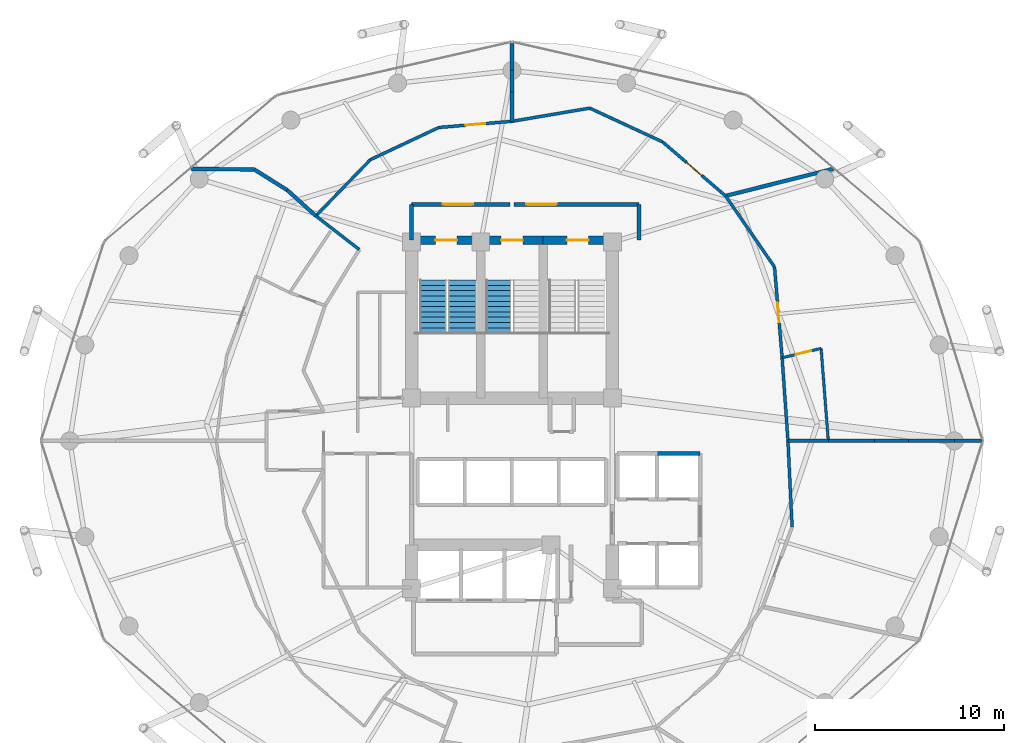
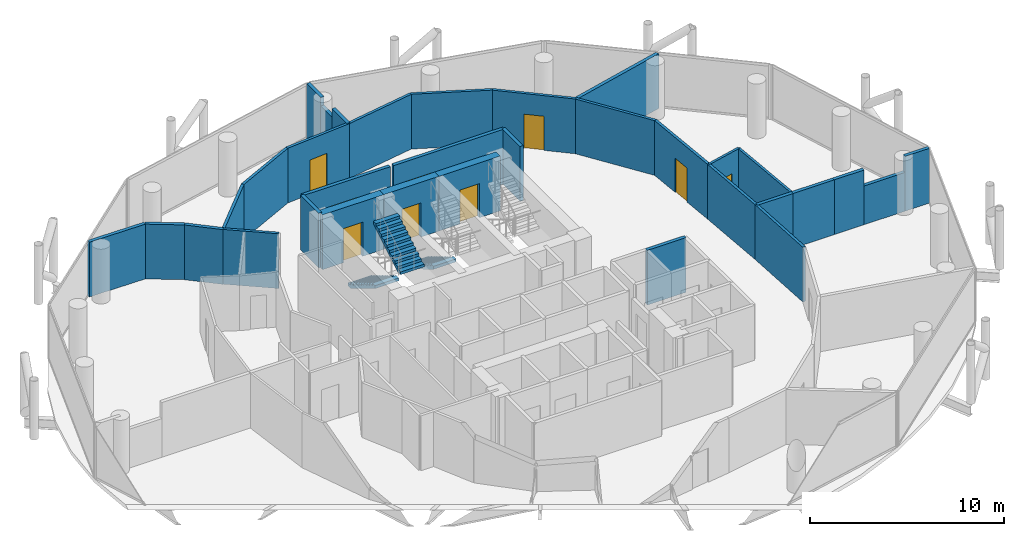
# One storey, part 24 of 26: 33 walls, 9 doors, 3 stair flights, 9 openings, 2 elements without a shape of their own.
"""IFC4 building model written with IfcOpenShell, lengths in metres."""

from ifc_helpers import new_model, si_unit, direction, frame, frame_2d, origin, place, context, subcontext, project, spatial, polyline, rectangle, outline, extrude, material, layer, layer_set, type_object, element, fill, aggregate, save


model = new_model("IFC4")

# Units and contexts
model_context = context("Model", 3, precision=1e-05, world=origin(), true_north=direction((0.0, 1.0)))
body_context = subcontext(model_context, "Body", "Model", "MODEL_VIEW")
ifc_project = project(units=[si_unit("LENGTHUNIT", "METRE"), si_unit("AREAUNIT", "SQUARE_METRE"), si_unit("VOLUMEUNIT", "CUBIC_METRE"), si_unit("PLANEANGLEUNIT", "RADIAN"), si_unit("MASSUNIT", "GRAM", prefix="KILO")], contexts=[model_context])

# Site, building, storey
site_placement = place(None, origin())
site = spatial("IfcSite", under=ifc_project, at=site_placement, CompositionType="ELEMENT")
building_placement = place(site_placement, origin())
building = spatial("IfcBuilding", under=site, at=building_placement, Name="Nuhasar Tower", CompositionType="ELEMENT")
storey_placement = place(building_placement, frame((0.0, 0.0, 181.14990234375)))
storey = spatial("IfcBuildingStorey", under=building, at=storey_placement, Name="L44", CompositionType="ELEMENT", Elevation=181.14990234375)

# Wall, opening, door
ifc_material_1 = material(Name="Concrete C50/60", Category="concrete")
ifc_layer_1 = layer(ifc_material_1, 0.449951171875)
ifc_layer_set_1 = layer_set([ifc_layer_1], Name="Concrete C50/60")
wall_type_1 = type_object("IfcWallType", Name="WL-CORE-450", PredefinedType="SHEAR", material=ifc_layer_set_1)
wall_1_placement = place(storey_placement, frame((37.35009765625, 37.39990234375, 0.0), z_axis=(0.0, 0.0, 1.0), x_axis=(-1.0, 0.0, 0.0)))
wall_1 = element("IfcWall", 1, at=wall_1_placement, inside=storey, type_object=wall_type_1, Name="L44 Stairwell Shear Wall ST01-N", PredefinedType="SHEAR", context=body_context, shape_type="SweptSolid", body=[
    extrude(rectangle(XDim=3.650146484375, YDim=0.449951171875, at=frame_2d((1.8251953125, 0.0))), origin(), (0.0, 0.0, 1.0), 3.4501953125),
])
opening_1_placement = place(wall_1_placement, frame((1.25, 0.0, 0.0)))
opening_1 = element("IfcOpeningElement", 2, at=opening_1_placement, cuts=wall_1, Name="Opening DS-01", PredefinedType="OPENING", context=body_context, shape_type="SweptSolid", body=[
    extrude(rectangle(XDim=1.14990234375, YDim=2.14990234375, at=frame_2d((0.574951171875, 1.074951171875))), frame((0.0, 0.23486328125, 0.0), z_axis=(0.0, -1.0, 0.0), x_axis=(1.0, 0.0, 0.0)), (0.0, 0.0, 1.0), 0.469970703125),
])
ifc_material_2 = material(Name="Steel S355", Category="steel")
door_type_1 = type_object("IfcDoorType", Name="DR-STAIR-FD120-1150", OperationType="NOTDEFINED", PredefinedType="DOOR", material=ifc_material_2)
door_1_placement = place(opening_1_placement, origin())
door_1 = element("IfcDoor", 3, at=door_1_placement, inside=storey, type_object=door_type_1, Name="L44 Exit Stair ST-01 Door", OperationType="SINGLE_SWING_RIGHT", OverallHeight=2.14990234375, OverallWidth=1.14990234375, PredefinedType="DOOR", context=body_context, shape_type="SweptSolid", body=[
    extrude(rectangle(XDim=1.14990234375, YDim=2.14990234375, at=frame_2d((0.574951171875, 1.074951171875))), frame((0.0, 0.02490234375, 0.0), z_axis=(0.0, -1.0, 0.0), x_axis=(1.0, 0.0, 0.0)), (0.0, 0.0, 1.0), 0.050048828125),
])
fill(opening_1, door_1)

wall_2_placement = place(storey_placement, frame((40.64990234375, 37.39990234375, 0.0), z_axis=(0.0, 0.0, 1.0), x_axis=(-1.0, 0.0, 0.0)))
wall_2 = element("IfcWall", 4, at=wall_2_placement, inside=storey, type_object=wall_type_1, Name="L44 Stairwell Shear Wall ST03-N", PredefinedType="SHEAR", context=body_context, shape_type="SweptSolid", body=[
    extrude(rectangle(XDim=3.2998046875, YDim=0.449951171875, at=frame_2d((1.64990234375, 0.0))), origin(), (0.0, 0.0, 1.0), 3.4501953125),
])
opening_2_placement = place(wall_2_placement, frame((1.074951171875, 0.0, 0.0)))
opening_2 = element("IfcOpeningElement", 5, at=opening_2_placement, cuts=wall_2, Name="Opening DS-01", PredefinedType="OPENING", context=body_context, shape_type="SweptSolid", body=[
    extrude(rectangle(XDim=1.14990234375, YDim=2.14990234375, at=frame_2d((0.574951171875, 1.074951171875))), frame((0.0, 0.23486328125, 0.0), z_axis=(0.0, -1.0, 0.0), x_axis=(1.0, 0.0, 0.0)), (0.0, 0.0, 1.0), 0.469970703125),
])
door_2_placement = place(opening_2_placement, origin())
door_2 = element("IfcDoor", 6, at=door_2_placement, inside=storey, type_object=door_type_1, Name="L44 Exit Stair ST-03 Door", OperationType="SINGLE_SWING_RIGHT", OverallHeight=2.14990234375, OverallWidth=1.14990234375, PredefinedType="DOOR", context=body_context, shape_type="SweptSolid", body=[
    extrude(rectangle(XDim=1.14990234375, YDim=2.14990234375, at=frame_2d((0.574951171875, 1.074951171875))), frame((0.0, 0.02490234375, 0.0), z_axis=(0.0, -1.0, 0.0), x_axis=(1.0, 0.0, 0.0)), (0.0, 0.0, 1.0), 0.050048828125),
])
fill(opening_2, door_2)

wall_3_placement = place(storey_placement, frame((44.300048828125, 37.39990234375, 0.0), z_axis=(0.0, 0.0, 1.0), x_axis=(-1.0, 0.0, 0.0)))
wall_3 = element("IfcWall", 7, at=wall_3_placement, inside=storey, type_object=wall_type_1, Name="L44 Stairwell Shear Wall ST02-N", PredefinedType="SHEAR", context=body_context, shape_type="SweptSolid", body=[
    extrude(rectangle(XDim=3.650146484375, YDim=0.449951171875, at=frame_2d((1.8251953125, 0.0))), origin(), (0.0, 0.0, 1.0), 3.4501953125),
])
opening_3_placement = place(wall_3_placement, frame((1.25, 0.0, 0.0)))
opening_3 = element("IfcOpeningElement", 8, at=opening_3_placement, cuts=wall_3, Name="Opening DS-01", PredefinedType="OPENING", context=body_context, shape_type="SweptSolid", body=[
    extrude(rectangle(XDim=1.14990234375, YDim=2.14990234375, at=frame_2d((0.574951171875, 1.074951171875))), frame((0.0, 0.23486328125, 0.0), z_axis=(0.0, -1.0, 0.0), x_axis=(1.0, 0.0, 0.0)), (0.0, 0.0, 1.0), 0.469970703125),
])
door_3_placement = place(opening_3_placement, origin())
door_3 = element("IfcDoor", 9, at=door_3_placement, inside=storey, type_object=door_type_1, Name="L44 Exit Stair ST-02 Door", OperationType="SINGLE_SWING_LEFT", OverallHeight=2.14990234375, OverallWidth=1.14990234375, PredefinedType="DOOR", context=body_context, shape_type="SweptSolid", body=[
    extrude(rectangle(XDim=1.14990234375, YDim=2.14990234375, at=frame_2d((0.574951171875, 1.074951171875))), frame((0.0, 0.02490234375, 0.0), z_axis=(0.0, -1.0, 0.0), x_axis=(1.0, 0.0, 0.0)), (0.0, 0.0, 1.0), 0.050048828125),
])
fill(opening_3, door_3)

# Walls
ifc_material_3 = material(Name="Gypsum Board", Category="gypsum")
ifc_layer_2 = layer(ifc_material_3, 0.159912109375)
ifc_layer_set_2 = layer_set([ifc_layer_2], Name="Gypsum Board")
wall_type_2 = type_object("IfcWallType", Name="WL-CORR-160", PredefinedType="PARTITIONING", material=ifc_layer_set_2)
wall_4_placement = place(storey_placement, frame((53.7880859375, 22.256103515625, 0.0), z_axis=(0.0, 0.0, 1.0), x_axis=(-0.047924666937, 0.998850952995, 0.0)))
element("IfcWall", 10, at=wall_4_placement, inside=storey, type_object=wall_type_2, Name="L44 Interior Partition CORR-46", PredefinedType="PARTITIONING", context=body_context, shape_type="SweptSolid", body=[
    extrude(rectangle(XDim=4.549072265625, YDim=0.159912109375, at=frame_2d((2.2744140625, 0.0))), origin(), (0.0, 0.0, 1.0), 3.4501953125),
])
wall_5_placement = place(storey_placement, frame((53.570068359375, 26.800048828125, 0.0), z_axis=(0.0, 0.0, 1.0), x_axis=(-0.070141062977, 0.997537082661, 0.0)))
element("IfcWall", 11, at=wall_5_placement, inside=storey, type_object=wall_type_2, Name="L44 Interior Partition CORR-00", PredefinedType="PARTITIONING", context=body_context, shape_type="SweptSolid", body=[
    extrude(rectangle(XDim=4.392578125, YDim=0.159912109375, at=frame_2d((2.1962890625, 0.0))), origin(), (0.0, 0.0, 1.0), 3.4501953125),
])

# Wall, opening, door
wall_6_placement = place(storey_placement, frame((52.860107421875, 35.97607421875, 0.0), z_axis=(0.0, 0.0, 1.0), x_axis=(0.083528435033, -0.996505394135, 0.0)))
wall_6 = element("IfcWall", 12, at=wall_6_placement, inside=storey, type_object=wall_type_2, Name="L44 Interior Partition CORR-02", PredefinedType="PARTITIONING", context=body_context, shape_type="SweptSolid", body=[
    extrude(rectangle(XDim=4.81103515625, YDim=0.159912109375, at=frame_2d((2.405517578125, 0.0))), origin(), (0.0, 0.0, 1.0), 3.4501953125),
])
opening_4_placement = place(wall_6_placement, frame((1.8798828125, 0.0, 0.0)))
opening_4 = element("IfcOpeningElement", 13, at=opening_4_placement, cuts=wall_6, Name="Opening DU-01", PredefinedType="OPENING", context=body_context, shape_type="SweptSolid", body=[
    extrude(rectangle(XDim=1.050048828125, YDim=2.14990234375, at=frame_2d((0.52490234375, 1.074951171875))), frame((0.0, 0.08984375, 0.0), z_axis=(0.0, -1.0, 0.0), x_axis=(1.0, 0.0, 0.0)), (0.0, 0.0, 1.0), 0.179931640625),
])
ifc_material_4 = material(Name="Timber Oak", Category="wood")
door_type_2 = type_object("IfcDoorType", Name="DR-SUITE-FD60-1050", OperationType="NOTDEFINED", PredefinedType="DOOR", material=ifc_material_4)
door_4_placement = place(opening_4_placement, origin())
door_4 = element("IfcDoor", 14, at=door_4_placement, inside=storey, type_object=door_type_2, Name="L44 Family Suite 02 Entrance Door", OperationType="SINGLE_SWING_LEFT", OverallHeight=2.14990234375, OverallWidth=1.050048828125, PredefinedType="DOOR", context=body_context, shape_type="SweptSolid", body=[
    extrude(rectangle(XDim=1.050048828125, YDim=2.14990234375, at=frame_2d((0.52490234375, 1.074951171875))), frame((0.0, 0.02490234375, 0.0), z_axis=(0.0, -1.0, 0.0), x_axis=(1.0, 0.0, 0.0)), (0.0, 0.0, 1.0), 0.050048828125),
])
fill(opening_4, door_4)

# Wall
wall_7_placement = place(storey_placement, frame((52.860107421875, 35.97607421875, 0.0), z_axis=(0.0, 0.0, 1.0), x_axis=(-0.567037984517, 0.82369164383, 0.0)))
element("IfcWall", 15, at=wall_7_placement, inside=storey, type_object=wall_type_2, Name="L44 Interior Partition CORR-04", PredefinedType="PARTITIONING", context=body_context, shape_type="SweptSolid", body=[
    extrude(rectangle(XDim=4.557373046875, YDim=0.159912109375, at=frame_2d((2.27880859375, 0.0))), origin(), (0.0, 0.0, 1.0), 3.4501953125),
])

# Wall, opening, door
wall_8_placement = place(storey_placement, frame((46.947021484375, 42.5830078125, 0.0), z_axis=(0.0, 0.0, 1.0), x_axis=(0.759288048082, -0.650754684993, 0.0)))
wall_8 = element("IfcWall", 16, at=wall_8_placement, inside=storey, type_object=wall_type_2, Name="L44 Interior Partition CORR-06", PredefinedType="PARTITIONING", context=body_context, shape_type="SweptSolid", body=[
    extrude(rectangle(XDim=4.38427734375, YDim=0.159912109375, at=frame_2d((2.192138671875, 0.0))), origin(), (0.0, 0.0, 1.0), 3.4501953125),
])
opening_5_placement = place(wall_8_placement, frame((1.6669921875, 0.0, 0.0)))
opening_5 = element("IfcOpeningElement", 17, at=opening_5_placement, cuts=wall_8, Name="Opening DU-01", PredefinedType="OPENING", context=body_context, shape_type="SweptSolid", body=[
    extrude(rectangle(XDim=1.050048828125, YDim=2.14990234375, at=frame_2d((0.52490234375, 1.074951171875))), frame((0.0, 0.08984375, 0.0), z_axis=(0.0, -1.0, 0.0), x_axis=(1.0, 0.0, 0.0)), (0.0, 0.0, 1.0), 0.179931640625),
])
door_5_placement = place(opening_5_placement, origin())
door_5 = element("IfcDoor", 18, at=door_5_placement, inside=storey, type_object=door_type_2, Name="L44 Young Explorers Play Club Entrance Door", OperationType="SINGLE_SWING_LEFT", OverallHeight=2.14990234375, OverallWidth=1.050048828125, PredefinedType="DOOR", context=body_context, shape_type="SweptSolid", body=[
    extrude(rectangle(XDim=1.050048828125, YDim=2.14990234375, at=frame_2d((0.52490234375, 1.074951171875))), frame((0.0, 0.02490234375, 0.0), z_axis=(0.0, -1.0, 0.0), x_axis=(1.0, 0.0, 0.0)), (0.0, 0.0, 1.0), 0.050048828125),
])
fill(opening_5, door_5)

# Walls
wall_9_placement = place(storey_placement, frame((46.947021484375, 42.5830078125, 0.0), z_axis=(0.0, 0.0, 1.0), x_axis=(-0.907214055844, 0.420669296335, 0.0)))
element("IfcWall", 19, at=wall_9_placement, inside=storey, type_object=wall_type_2, Name="L44 Interior Partition CORR-08", PredefinedType="PARTITIONING", context=body_context, shape_type="SweptSolid", body=[
    extrude(rectangle(XDim=4.236083984375, YDim=0.159912109375, at=frame_2d((2.1181640625, 0.0))), origin(), (0.0, 0.0, 1.0), 3.4501953125),
])
wall_10_placement = place(storey_placement, frame((43.10400390625, 44.364990234375, 0.0), z_axis=(0.0, 0.0, 1.0), x_axis=(-0.985959351307, -0.166985501081, 0.0)))
element("IfcWall", 20, at=wall_10_placement, inside=storey, type_object=wall_type_2, Name="L44 Interior Partition CORR-10", PredefinedType="PARTITIONING", context=body_context, shape_type="SweptSolid", body=[
    extrude(rectangle(XDim=4.162353515625, YDim=0.159912109375, at=frame_2d((2.0810546875, 0.0))), origin(), (0.0, 0.0, 1.0), 3.4501953125),
])

# Wall, opening, door
wall_11_placement = place(storey_placement, frame((35.135009765625, 43.343017578125, 0.0), z_axis=(0.0, 0.0, 1.0), x_axis=(0.996442115189, 0.084279956556, 0.0)))
wall_11 = element("IfcWall", 21, at=wall_11_placement, inside=storey, type_object=wall_type_2, Name="L44 Interior Partition CORR-12", PredefinedType="PARTITIONING", context=body_context, shape_type="SweptSolid", body=[
    extrude(rectangle(XDim=3.87890625, YDim=0.159912109375, at=frame_2d((1.939453125, 0.0))), origin(), (0.0, 0.0, 1.0), 3.4501953125),
])
opening_6_placement = place(wall_11_placement, frame((1.4140625, 0.0, 0.0)))
opening_6 = element("IfcOpeningElement", 22, at=opening_6_placement, cuts=wall_11, Name="Opening DU-01", PredefinedType="OPENING", context=body_context, shape_type="SweptSolid", body=[
    extrude(rectangle(XDim=1.050048828125, YDim=2.14990234375, at=frame_2d((0.52490234375, 1.074951171875))), frame((0.0, 0.08984375, 0.0), z_axis=(0.0, -1.0, 0.0), x_axis=(1.0, 0.0, 0.0)), (0.0, 0.0, 1.0), 0.179931640625),
])
door_6_placement = place(opening_6_placement, origin())
door_6 = element("IfcDoor", 23, at=door_6_placement, inside=storey, type_object=door_type_2, Name="L44 Family Gelato Kitchen Entrance Door", OperationType="SINGLE_SWING_RIGHT", OverallHeight=2.14990234375, OverallWidth=1.050048828125, PredefinedType="DOOR", context=body_context, shape_type="SweptSolid", body=[
    extrude(rectangle(XDim=1.050048828125, YDim=2.14990234375, at=frame_2d((0.52490234375, 1.074951171875))), frame((0.0, 0.02490234375, 0.0), z_axis=(0.0, -1.0, 0.0), x_axis=(1.0, 0.0, 0.0)), (0.0, 0.0, 1.0), 0.050048828125),
])
fill(opening_6, door_6)

# Walls
wall_12_placement = place(storey_placement, frame((35.135009765625, 43.343017578125, 0.0), z_axis=(0.0, 0.0, 1.0), x_axis=(-0.904903283727, -0.425617254232, 0.0)))
element("IfcWall", 24, at=wall_12_placement, inside=storey, type_object=wall_type_2, Name="L44 Interior Partition CORR-14", PredefinedType="PARTITIONING", context=body_context, shape_type="SweptSolid", body=[
    extrude(rectangle(XDim=3.989501953125, YDim=0.159912109375, at=frame_2d((1.99462890625, 0.0))), origin(), (0.0, 0.0, 1.0), 3.4501953125),
])
wall_13_placement = place(storey_placement, frame((31.52490234375, 41.64501953125, 0.0), z_axis=(0.0, 0.0, 1.0), x_axis=(-0.69625640942, -0.717793154287, 0.0)))
element("IfcWall", 25, at=wall_13_placement, inside=storey, type_object=wall_type_2, Name="L44 Interior Partition CORR-16", PredefinedType="PARTITIONING", context=body_context, shape_type="SweptSolid", body=[
    extrude(rectangle(XDim=4.1376953125, YDim=0.159912109375, at=frame_2d((2.06884765625, 0.0))), origin(), (0.0, 0.0, 1.0), 3.4501953125),
])
wall_14_placement = place(storey_placement, frame((30.93896484375, 36.89697265625, 0.0), z_axis=(0.0, 0.0, 1.0), x_axis=(-0.79049648077, 0.612466581856, 0.0)))
element("IfcWall", 26, at=wall_14_placement, inside=storey, type_object=wall_type_2, Name="L44 Interior Partition HRAD-18-IN", PredefinedType="PARTITIONING", context=body_context, shape_type="SweptSolid", body=[
    extrude(rectangle(XDim=2.903076171875, YDim=0.159912109375, at=frame_2d((1.45166015625, 0.0))), origin(), (0.0, 0.0, 1.0), 3.4501953125),
])
ifc_material_5 = material(Name="Concrete C45/55", Category="concrete")
ifc_layer_3 = layer(ifc_material_5, 0.199951171875)
ifc_layer_set_3 = layer_set([ifc_layer_3], Name="Concrete C45/55")
wall_type_3 = type_object("IfcWallType", Name="WL-LOBBY-200", PredefinedType="SOLIDWALL", material=ifc_layer_set_3)
for number, where, z_axis, x_axis, name in (
    (27, (33.699951171875, 37.39990234375, 0.0), (0.0, 0.0, 1.0), (0.0, 1.0, 0.0), "L44 Interior Partition NSL-W"),
    (28, (45.699951171875, 37.39990234375, 0.0), (0.0, 0.0, 1.0), (0.0, 1.0, 0.0), "L44 Interior Partition NSL-E"),
):
    element("IfcWall", number, at=place(storey_placement, frame(where, z_axis=z_axis, x_axis=x_axis)), inside=storey, type_object=wall_type_3, Name=name, PredefinedType="SOLIDWALL", context=body_context, shape_type="SweptSolid", body=[
        extrude(rectangle(XDim=1.880126953125, YDim=0.199951171875, at=frame_2d((0.93994140625, 0.0))), origin(), (0.0, 0.0, 1.0), 3.4501953125),
    ])

# Wall, opening, door
wall_15_placement = place(storey_placement, frame((38.89990234375, 39.280029296875, 0.0), z_axis=(0.0, 0.0, 1.0), x_axis=(-1.0, 0.0, 0.0)))
wall_15 = element("IfcWall", 29, at=wall_15_placement, inside=storey, type_object=wall_type_3, Name="L44 Interior Partition NSL-N1", PredefinedType="SOLIDWALL", context=body_context, shape_type="SweptSolid", body=[
    extrude(rectangle(XDim=5.199951171875, YDim=0.199951171875, at=frame_2d((2.60009765625, 0.0))), origin(), (0.0, 0.0, 1.0), 3.4501953125),
])
opening_7_placement = place(wall_15_placement, frame((1.949951171875, 0.0, 0.0)))
opening_7 = element("IfcOpeningElement", 30, at=opening_7_placement, cuts=wall_15, Name="Opening DC-01", PredefinedType="OPENING", context=body_context, shape_type="SweptSolid", body=[
    extrude(rectangle(XDim=1.60009765625, YDim=2.199951171875, at=frame_2d((0.800048828125, 1.10009765625))), frame((0.0, 0.10986328125, 0.0), z_axis=(0.0, -1.0, 0.0), x_axis=(1.0, 0.0, 0.0)), (0.0, 0.0, 1.0), 0.219970703125),
])
door_type_3 = type_object("IfcDoorType", Name="DR-CORR-FD60-1600", OperationType="DOUBLE_DOOR_SINGLE_SWING", PredefinedType="DOOR", material=ifc_material_2)
door_7_placement = place(opening_7_placement, origin())
door_7 = element("IfcDoor", 31, at=door_7_placement, inside=storey, type_object=door_type_3, Name="L44 North Stair Lobby West Door", OperationType="DOUBLE_DOOR_SINGLE_SWING", OverallHeight=2.199951171875, OverallWidth=1.60009765625, PredefinedType="DOOR", context=body_context, shape_type="SweptSolid", body=[
    extrude(rectangle(XDim=1.60009765625, YDim=2.199951171875, at=frame_2d((0.800048828125, 1.10009765625))), frame((0.0, 0.02490234375, 0.0), z_axis=(0.0, -1.0, 0.0), x_axis=(1.0, 0.0, 0.0)), (0.0, 0.0, 1.0), 0.050048828125),
])
fill(opening_7, door_7)

wall_16_placement = place(storey_placement, frame((45.699951171875, 39.280029296875, 0.0), z_axis=(0.0, 0.0, 1.0), x_axis=(-1.0, 0.0, 0.0)))
wall_16 = element("IfcWall", 32, at=wall_16_placement, inside=storey, type_object=wall_type_3, Name="L44 Interior Partition NSL-N2", PredefinedType="SOLIDWALL", context=body_context, shape_type="SweptSolid", body=[
    extrude(rectangle(XDim=6.599853515625, YDim=0.199951171875, at=frame_2d((3.2998046875, 0.0))), origin(), (0.0, 0.0, 1.0), 3.4501953125),
])
opening_8_placement = place(wall_16_placement, frame((4.35009765625, 0.0, 0.0)))
opening_8 = element("IfcOpeningElement", 33, at=opening_8_placement, cuts=wall_16, Name="Opening DC-01", PredefinedType="OPENING", context=body_context, shape_type="SweptSolid", body=[
    extrude(rectangle(XDim=1.60009765625, YDim=2.199951171875, at=frame_2d((0.800048828125, 1.10009765625))), frame((0.0, 0.10986328125, 0.0), z_axis=(0.0, -1.0, 0.0), x_axis=(1.0, 0.0, 0.0)), (0.0, 0.0, 1.0), 0.219970703125),
])
door_8_placement = place(opening_8_placement, origin())
door_8 = element("IfcDoor", 34, at=door_8_placement, inside=storey, type_object=door_type_3, Name="L44 North Stair Lobby East Door", OperationType="DOUBLE_DOOR_SINGLE_SWING", OverallHeight=2.199951171875, OverallWidth=1.60009765625, PredefinedType="DOOR", context=body_context, shape_type="SweptSolid", body=[
    extrude(rectangle(XDim=1.60009765625, YDim=2.199951171875, at=frame_2d((0.800048828125, 1.10009765625))), frame((0.0, 0.02490234375, 0.0), z_axis=(0.0, -1.0, 0.0), x_axis=(1.0, 0.0, 0.0)), (0.0, 0.0, 1.0), 0.050048828125),
])
fill(opening_8, door_8)

# Walls
ifc_layer_4 = layer(ifc_material_5, 0.199951171875)
ifc_layer_set_4 = layer_set([ifc_layer_4], Name="Concrete C45/55")
wall_type_4 = type_object("IfcWallType", Name="WL-SHAFT-200", PredefinedType="SOLIDWALL", material=ifc_layer_set_4)
wall_17_placement = place(storey_placement, frame((46.6201171875, 26.1298828125, 0.0), z_axis=(0.0, 0.0, 1.0), x_axis=(1.0, 0.0, 0.0)))
element("IfcWall", 35, at=wall_17_placement, inside=storey, type_object=wall_type_4, Name="L44 Interior Partition SHF-PL-M02-N", PredefinedType="SOLIDWALL", context=body_context, shape_type="SweptSolid", body=[
    extrude(rectangle(XDim=2.309814453125, YDim=0.199951171875, at=frame_2d((1.15478515625, 0.0))), origin(), (0.0, 0.0, 1.0), 3.4501953125),
])
ifc_material_6 = material(Name="Concrete C40/50 precast", Category="concrete")
ifc_layer_5 = layer(ifc_material_6, 0.199951171875)
ifc_layer_set_5 = layer_set([ifc_layer_5], Name="Concrete C40/50 precast")
wall_type_5 = type_object("IfcWallType", Name="WL-UNIT-200", PredefinedType="PARTITIONING", material=ifc_layer_set_5)
wall_18_placement = place(storey_placement, frame((28.64404296875, 38.675048828125, 0.0), z_axis=(0.0, 0.0, 1.0), x_axis=(-0.742846076273, 0.669462252085, 0.0)))
element("IfcWall", 36, at=wall_18_placement, inside=storey, type_object=wall_type_5, Name="L44 Interior Partition HRAD-18-OUT-S1", PredefinedType="PARTITIONING", context=body_context, shape_type="SweptSolid", body=[
    extrude(rectangle(XDim=2.03271484375, YDim=0.199951171875, at=frame_2d((1.016357421875, 0.0))), origin(), (0.0, 0.0, 1.0), 3.4501953125),
])
wall_19_placement = place(storey_placement, frame((27.134033203125, 40.035888671875, 0.0), z_axis=(0.0, 0.0, 1.0), x_axis=(-0.847509984022, 0.530779452299, 0.0)))
element("IfcWall", 37, at=wall_19_placement, inside=storey, type_object=wall_type_5, Name="L44 Interior Partition HRAD-18-OUT-S2", PredefinedType="PARTITIONING", context=body_context, shape_type="SweptSolid", body=[
    extrude(rectangle(XDim=2.052001953125, YDim=0.199951171875, at=frame_2d((1.02587890625, 0.0))), origin(), (0.0, 0.0, 1.0), 3.4501953125),
])
wall_20_placement = place(storey_placement, frame((25.39501953125, 41.125, 0.0), z_axis=(0.0, 0.0, 1.0), x_axis=(-0.999945735134, 0.010417619126, 0.0)))
element("IfcWall", 38, at=wall_20_placement, inside=storey, type_object=wall_type_5, Name="L44 Interior Partition HRAD-18-OUT-S3", PredefinedType="PARTITIONING", context=body_context, shape_type="SweptSolid", body=[
    extrude(rectangle(XDim=3.351318359375, YDim=0.199951171875, at=frame_2d((1.67578125, 0.0))), origin(), (0.0, 0.0, 1.0), 3.4501953125),
])
wall_21_placement = place(storey_placement, frame((53.570068359375, 26.800048828125, 0.0), z_axis=(0.0, 0.0, 1.0), x_axis=(1.0, 0.0, 0.0)))
element("IfcWall", 39, at=wall_21_placement, inside=storey, type_object=wall_type_5, Name="L44 Interior Partition HRAD-00-S1", PredefinedType="PARTITIONING", context=body_context, shape_type="SweptSolid", body=[
    extrude(rectangle(XDim=2.1298828125, YDim=0.199951171875, at=frame_2d((1.06494140625, 0.0))), origin(), (0.0, 0.0, 1.0), 3.4501953125),
])
wall_22_placement = place(storey_placement, frame((55.699951171875, 26.800048828125, 0.0), z_axis=(0.0, 0.0, 1.0), x_axis=(1.0, 0.0, 0.0)))
element("IfcWall", 40, at=wall_22_placement, inside=storey, type_object=wall_type_5, Name="L44 Interior Partition HRAD-00-S2", PredefinedType="PARTITIONING", context=body_context, shape_type="SweptSolid", body=[
    extrude(rectangle(XDim=2.449951171875, YDim=0.199951171875, at=frame_2d((1.22509765625, 0.0))), origin(), (0.0, 0.0, 1.0), 3.4501953125),
])
wall_23_placement = place(storey_placement, frame((58.14990234375, 26.800048828125, 0.0), z_axis=(0.0, 0.0, 1.0), x_axis=(1.0, 0.0, 0.0)))
element("IfcWall", 41, at=wall_23_placement, inside=storey, type_object=wall_type_5, Name="L44 Interior Partition HRAD-00-S3", PredefinedType="PARTITIONING", context=body_context, shape_type="SweptSolid", body=[
    extrude(rectangle(XDim=1.777099609375, YDim=0.199951171875, at=frame_2d((0.888671875, 0.0))), origin(), (0.0, 0.0, 1.0), 3.4501953125),
])
wall_24_placement = place(storey_placement, frame((59.927001953125, 26.800048828125, 0.0), z_axis=(0.0, 0.0, 1.0), x_axis=(1.0, 0.0, 0.0)))
element("IfcWall", 42, at=wall_24_placement, inside=storey, type_object=wall_type_5, Name="L44 Interior Partition HRAD-00-S3", PredefinedType="PARTITIONING", context=body_context, shape_type="SweptSolid", body=[
    extrude(rectangle(XDim=2.43505859375, YDim=0.199951171875, at=frame_2d((1.217529296875, 0.0))), origin(), (0.0, 0.0, 1.0), 2.440185546875),
])
wall_25_placement = place(storey_placement, frame((62.362060546875, 26.800048828125, 0.0), z_axis=(0.0, 0.0, 1.0), x_axis=(1.0, 0.0, 0.0)))
element("IfcWall", 43, at=wall_25_placement, inside=storey, type_object=wall_type_5, Name="L44 Interior Partition HRAD-00-S3", PredefinedType="PARTITIONING", context=body_context, shape_type="SweptSolid", body=[
    extrude(rectangle(XDim=1.462890625, YDim=0.199951171875, at=frame_2d((0.7314453125, 0.0))), origin(), (0.0, 0.0, 1.0), 3.4501953125),
])
wall_26_placement = place(storey_placement, frame((50.27587890625, 39.72998046875, 0.0), z_axis=(0.0, 0.0, 1.0), x_axis=(0.969744006307, 0.244124071389, 0.0)))
element("IfcWall", 44, at=wall_26_placement, inside=storey, type_object=wall_type_5, Name="L44 Interior Partition HRAD-06", PredefinedType="PARTITIONING", context=body_context, shape_type="SweptSolid", body=[
    extrude(rectangle(XDim=5.857421875, YDim=0.199951171875, at=frame_2d((2.9287109375, 0.0))), origin(), (0.0, 0.0, 1.0), 3.4501953125),
])
wall_27_placement = place(storey_placement, frame((39.0, 43.669921875, 0.0), z_axis=(0.0, 0.0, 1.0), x_axis=(0.0, 1.0, 0.0)))
element("IfcWall", 45, at=wall_27_placement, inside=storey, type_object=wall_type_5, Name="L44 Interior Partition HRAD-12", PredefinedType="PARTITIONING", context=body_context, shape_type="SweptSolid", body=[
    extrude(rectangle(XDim=1.549072265625, YDim=0.199951171875, at=frame_2d((0.7744140625, 0.0))), origin(), (0.0, 0.0, 1.0), 3.4501953125),
])
wall_28_placement = place(storey_placement, frame((39.0, 45.218994140625, 0.0), z_axis=(0.0, 0.0, 1.0), x_axis=(0.0, 1.0, 0.0)))
element("IfcWall", 46, at=wall_28_placement, inside=storey, type_object=wall_type_5, Name="L44 Interior Partition HRAD-12", PredefinedType="PARTITIONING", context=body_context, shape_type="SweptSolid", body=[
    extrude(rectangle(XDim=1.14892578125, YDim=0.199951171875, at=frame_2d((0.574462890625, 0.0))), origin(), (0.0, 0.0, 1.0), 2.9150390625),
])
wall_29_placement = place(storey_placement, frame((39.0, 46.367919921875, 0.0), z_axis=(0.0, 0.0, 1.0), x_axis=(0.0, 1.0, 0.0)))
element("IfcWall", 47, at=wall_29_placement, inside=storey, type_object=wall_type_5, Name="L44 Interior Partition HRAD-12", PredefinedType="PARTITIONING", context=body_context, shape_type="SweptSolid", body=[
    extrude(rectangle(XDim=1.45703125, YDim=0.199951171875, at=frame_2d((0.728515625, 0.0))), origin(), (0.0, 0.0, 1.0), 3.4501953125),
])

# Wall, opening, door
ifc_layer_6 = layer(ifc_material_6, 0.139892578125)
ifc_layer_set_6 = layer_set([ifc_layer_6], Name="Concrete C40/50 precast")
wall_type_6 = type_object("IfcWallType", Name="WL-WET-140", PredefinedType="PARTITIONING", material=ifc_layer_set_6)
wall_30_placement = place(storey_placement, frame((53.261962890625, 31.181884765625, 0.0), z_axis=(0.0, 0.0, 1.0), x_axis=(0.972156535344, 0.23433239381, 0.0)))
wall_30 = element("IfcWall", 48, at=wall_30_placement, inside=storey, type_object=wall_type_6, Name="L44 Interior Partition HBW-04", PredefinedType="PARTITIONING", context=body_context, shape_type="SweptSolid", body=[
    extrude(rectangle(XDim=2.116943359375, YDim=0.139892578125, at=frame_2d((1.05859375, 0.0))), origin(), (0.0, 0.0, 1.0), 3.4501953125),
])
opening_9_placement = place(wall_30_placement, frame((0.739013671875, 0.0, 0.0)))
opening_9 = element("IfcOpeningElement", 49, at=opening_9_placement, cuts=wall_30, Name="Opening DB-01", PredefinedType="OPENING", context=body_context, shape_type="SweptSolid", body=[
    extrude(rectangle(XDim=0.85009765625, YDim=2.10009765625, at=frame_2d((0.425048828125, 1.050048828125))), frame((0.0, 0.080078125, 0.0), z_axis=(0.0, -1.0, 0.0), x_axis=(1.0, 0.0, 0.0)), (0.0, 0.0, 1.0), 0.159912109375),
])
door_type_4 = type_object("IfcDoorType", Name="DR-BATH-850", OperationType="NOTDEFINED", PredefinedType="DOOR", material=ifc_material_4)
door_9_placement = place(opening_9_placement, origin())
door_9 = element("IfcDoor", 50, at=door_9_placement, inside=storey, type_object=door_type_4, Name="L44 Family Suite 02 En-Suite Door", OperationType="SINGLE_SWING_RIGHT", OverallHeight=2.10009765625, OverallWidth=0.85009765625, PredefinedType="DOOR", context=body_context, shape_type="SweptSolid", body=[
    extrude(rectangle(XDim=0.85009765625, YDim=2.10009765625, at=frame_2d((0.425048828125, 1.050048828125))), frame((0.0, 0.02490234375, 0.0), z_axis=(0.0, -1.0, 0.0), x_axis=(1.0, 0.0, 0.0)), (0.0, 0.0, 1.0), 0.050048828125),
])
fill(opening_9, door_9)

# Wall
wall_31_placement = place(storey_placement, frame((55.699951171875, 26.800048828125, 0.0), z_axis=(0.0, 0.0, 1.0), x_axis=(-0.077642783461, 0.99698124264, 0.0)))
element("IfcWall", 51, at=wall_31_placement, inside=storey, type_object=wall_type_6, Name="L44 Interior Partition HBF-04-00", PredefinedType="PARTITIONING", context=body_context, shape_type="SweptSolid", body=[
    extrude(rectangle(XDim=4.892578125, YDim=0.139892578125, at=frame_2d((2.4462890625, 0.0))), origin(), (0.0, 0.0, 1.0), 3.4501953125),
])

# Stair, stair flights
stair_type_1 = type_object("IfcStairType", Name="STR-ST-01-2F-22R-1682", PredefinedType="HALF_TURN_STAIR", material=ifc_material_5)
stair_1_placement = place(storey_placement, origin())
stair_1 = element("IfcStair", 52, at=stair_1_placement, inside=storey, type_object=stair_type_1, Name="L44 Exit Stair ST-01", PredefinedType="HALF_TURN_STAIR")
stair_flight_type_1 = type_object("IfcStairFlightType", Name="SFL-ST-01-11R-1682", PredefinedType="STRAIGHT", material=ifc_material_5)
stair_flight_1_placement = place(storey_placement, frame((34.830078125, 35.284912109375, 0.0), z_axis=(0.0, 0.0, 1.0), x_axis=(0.0, -1.0, 0.0)))
stair_flight_1 = element("IfcStairFlight", 53, at=stair_flight_1_placement, type_object=stair_flight_type_1, Name="ST-01 flight 1", NumberOfRisers=11, NumberOfTreads=10, PredefinedType="STRAIGHT", RiserHeight=0.168182, TreadLength=0.28, context=body_context, shape_type="SweptSolid", body=[
    extrude(outline(polyline([(0.0, 0.0), (0.0, 0.168212890625), (0.280029296875, 0.168212890625), (0.280029296875, 0.33642578125), (0.56005859375, 0.33642578125), (0.56005859375, 0.504638671875), (0.840087890625, 0.504638671875), (0.840087890625, 0.672607421875), (1.1201171875, 0.672607421875), (1.1201171875, 0.8408203125), (1.39990234375, 0.8408203125), (1.39990234375, 1.009033203125), (1.679931640625, 1.009033203125), (1.679931640625, 1.17724609375), (1.9599609375, 1.17724609375), (1.9599609375, 1.345458984375), (2.239990234375, 1.345458984375), (2.239990234375, 1.513671875), (2.52001953125, 1.513671875), (2.52001953125, 1.681884765625), (2.800048828125, 1.681884765625), (2.800048828125, 1.85009765625), (2.800048828125, 1.495361328125), (0.310546875, 0.0), (0.0, 0.0)])), frame((0.0, 0.7099609375, 0.0), z_axis=(0.0, -1.0, 0.0), x_axis=(1.0, 0.0, 0.0)), (0.0, 0.0, 1.0), 1.419921875),
])
stair_flight_2_placement = place(storey_placement, frame((36.35009765625, 32.485107421875, 1.85009765625), z_axis=(0.0, 0.0, 1.0), x_axis=(0.0, 1.0, 0.0)))
stair_flight_2 = element("IfcStairFlight", 54, at=stair_flight_2_placement, type_object=stair_flight_type_1, Name="ST-01 flight 2", NumberOfRisers=11, NumberOfTreads=10, PredefinedType="STRAIGHT", RiserHeight=0.168182, TreadLength=0.28, context=body_context, shape_type="SweptSolid", body=[
    extrude(outline(polyline([(0.0, 0.0), (0.0, 0.168212890625), (0.280029296875, 0.168212890625), (0.280029296875, 0.33642578125), (0.56005859375, 0.33642578125), (0.56005859375, 0.504638671875), (0.840087890625, 0.504638671875), (0.840087890625, 0.672607421875), (1.1201171875, 0.672607421875), (1.1201171875, 0.8408203125), (1.39990234375, 0.8408203125), (1.39990234375, 1.009033203125), (1.679931640625, 1.009033203125), (1.679931640625, 1.17724609375), (1.9599609375, 1.17724609375), (1.9599609375, 1.345458984375), (2.239990234375, 1.345458984375), (2.239990234375, 1.513671875), (2.52001953125, 1.513671875), (2.52001953125, 1.681884765625), (2.800048828125, 1.681884765625), (2.800048828125, 1.85009765625), (2.800048828125, 1.495361328125), (0.310546875, 0.0), (0.0, 0.0)])), frame((0.0, 0.7099609375, 0.0), z_axis=(0.0, -1.0, 0.0), x_axis=(1.0, 0.0, 0.0)), (0.0, 0.0, 1.0), 1.419921875),
])
aggregate(stair_1, [stair_flight_1, stair_flight_2])

# Stair, stair flight
stair_type_2 = type_object("IfcStairType", Name="STR-ST-03-2F-22R-1682", PredefinedType="HALF_TURN_STAIR", material=ifc_material_5)
stair_2_placement = place(storey_placement, origin())
stair_2 = element("IfcStair", 55, at=stair_2_placement, inside=storey, type_object=stair_type_2, Name="L44 Exit Stair ST-03", PredefinedType="HALF_TURN_STAIR")
stair_flight_type_2 = type_object("IfcStairFlightType", Name="SFL-ST-03-11R-1682", PredefinedType="STRAIGHT", material=ifc_material_5)
stair_flight_3_placement = place(storey_placement, frame((38.280029296875, 35.284912109375, 0.0), z_axis=(0.0, 0.0, 1.0), x_axis=(0.0, -1.0, 0.0)))
stair_flight_3 = element("IfcStairFlight", 56, at=stair_flight_3_placement, type_object=stair_flight_type_2, Name="ST-03 flight 1", NumberOfRisers=11, NumberOfTreads=10, PredefinedType="STRAIGHT", RiserHeight=0.168182, TreadLength=0.28, context=body_context, shape_type="SweptSolid", body=[
    extrude(outline(polyline([(0.0, 0.0), (0.0, 0.168212890625), (0.280029296875, 0.168212890625), (0.280029296875, 0.33642578125), (0.56005859375, 0.33642578125), (0.56005859375, 0.504638671875), (0.840087890625, 0.504638671875), (0.840087890625, 0.672607421875), (1.1201171875, 0.672607421875), (1.1201171875, 0.8408203125), (1.39990234375, 0.8408203125), (1.39990234375, 1.009033203125), (1.679931640625, 1.009033203125), (1.679931640625, 1.17724609375), (1.9599609375, 1.17724609375), (1.9599609375, 1.345458984375), (2.239990234375, 1.345458984375), (2.239990234375, 1.513671875), (2.52001953125, 1.513671875), (2.52001953125, 1.681884765625), (2.800048828125, 1.681884765625), (2.800048828125, 1.85009765625), (2.800048828125, 1.495361328125), (0.310546875, 0.0), (0.0, 0.0)])), frame((0.0, 0.669921875, 0.0), z_axis=(0.0, -1.0, 0.0), x_axis=(1.0, 0.0, 0.0)), (0.0, 0.0, 1.0), 1.340087890625),
])
aggregate(stair_2, [stair_flight_3])

save(model, "model.ifc")
